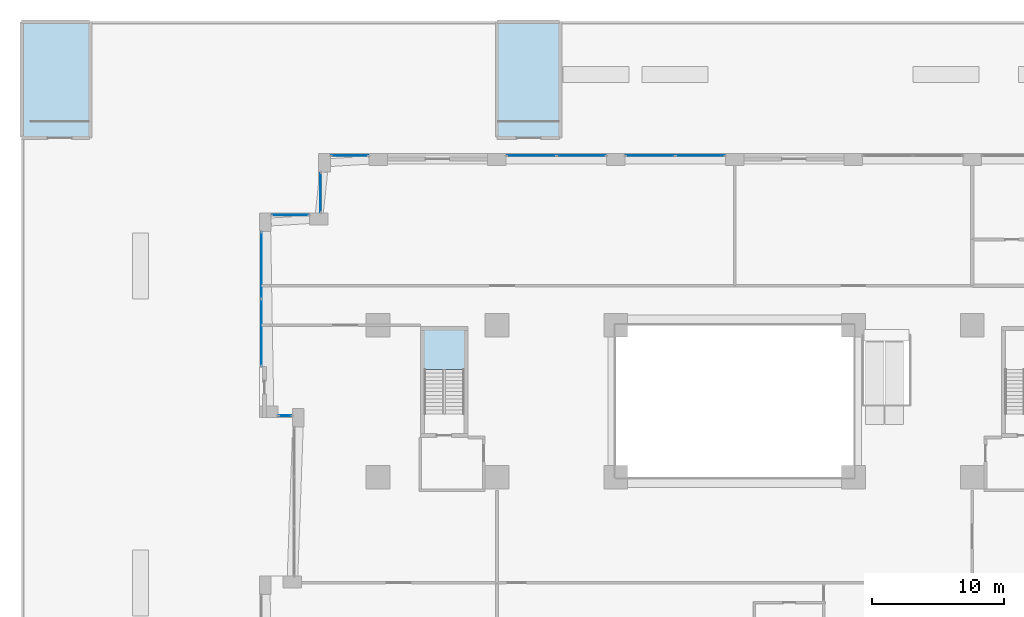
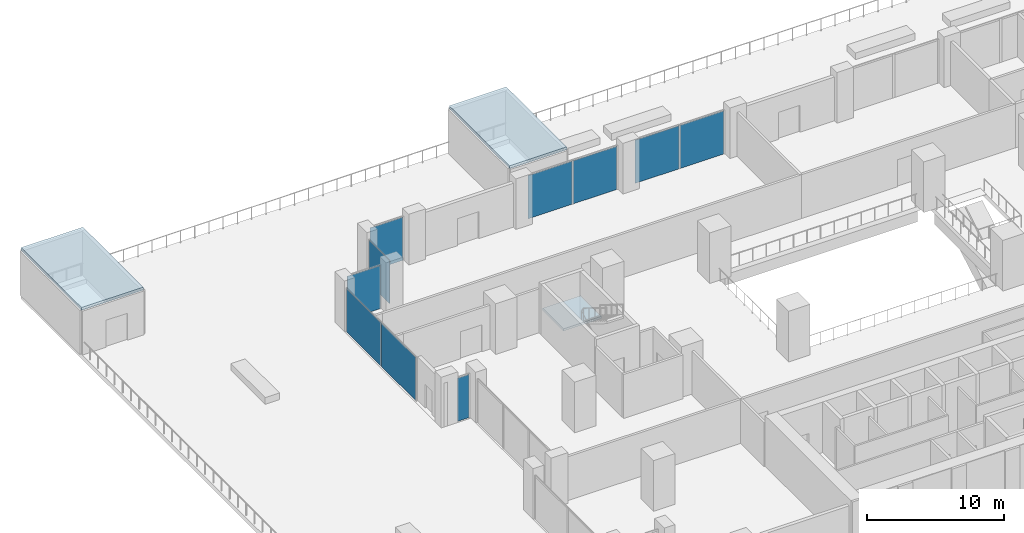
# One storey, part 10 of 19: 10 plates, 3 slabs, 8 elements without a shape of their own.
"""IFC4 building model written with IfcOpenShell, lengths in metres."""

from ifc_helpers import new_model, si_unit, direction, frame, origin, origin_2d, place, context, subcontext, project, spatial, polyline, rectangle, outline, extrude, material, layer, layer_set, type_object, element, aggregate, save


model = new_model("IFC4")

# Units and contexts
model_context = context("Model", 3, precision=1e-05, world=origin(), true_north=direction((0.0, 1.0)))
body_context = subcontext(model_context, "Body", "Model", "MODEL_VIEW")
ifc_project = project(units=[si_unit("LENGTHUNIT", "METRE"), si_unit("AREAUNIT", "SQUARE_METRE"), si_unit("VOLUMEUNIT", "CUBIC_METRE"), si_unit("PLANEANGLEUNIT", "RADIAN"), si_unit("MASSUNIT", "GRAM", prefix="KILO")], contexts=[model_context])

# Site, building, storey
site_placement = place(None, origin())
site = spatial("IfcSite", under=ifc_project, at=site_placement, CompositionType="ELEMENT")
building_placement = place(site_placement, origin())
building = spatial("IfcBuilding", under=site, at=building_placement, Name="Brigalow Station Residences", CompositionType="ELEMENT")
storey_placement = place(building_placement, frame((0.0, 0.0, 11.0)))
storey = spatial("IfcBuildingStorey", under=building, at=storey_placement, Name="L02", CompositionType="ELEMENT", Elevation=11.0)

# Curtain wall, plates
ifc_material_1 = material(Name="Aluminium", Category="aluminium")
ifc_layer_1 = layer(ifc_material_1, 0.199951171875)
ifc_layer_set_1 = layer_set([ifc_layer_1], Name="PODIUM UNITISED GLAZING CURTAIN WALL")
curtain_wall_type = type_object("IfcCurtainWallType", Name="PODIUM UNITISED GLAZING CURTAIN WALL", PredefinedType="NOTDEFINED", material=ifc_layer_set_1)
curtain_wall_1_placement = place(storey_placement, origin())
curtain_wall_1 = element("IfcCurtainWall", 1, at=curtain_wall_1_placement, inside=storey, type_object=curtain_wall_type, Name="L02/cw/podium-W-L02-25-15", PredefinedType="NOTDEFINED")
ifc_material_2 = material(Name="Laminated low-emissivity double-glazed unit")
ifc_layer_2 = layer(ifc_material_2, 0.0400390625)
ifc_layer_set_2 = layer_set([ifc_layer_2], Name="PODIUM UNITISED GLAZING PANEL 40")
plate_type = type_object("IfcPlateType", Name="PODIUM UNITISED GLAZING PANEL 40", PredefinedType="CURTAIN_PANEL", material=ifc_layer_set_2)
plate_1_placement = place(storey_placement, frame((33.3837890625, 48.35009765625, 0.0), z_axis=(0.0, 0.0, 1.0), x_axis=(-1.0, 0.0, 0.0)))
plate_1 = element("IfcPlate", 2, at=plate_1_placement, type_object=plate_type, Name="L02/cw/podium-W-L02-25-15/P00-00", PredefinedType="CURTAIN_PANEL", context=body_context, shape_type="SweptSolid", body=[
    extrude(rectangle(XDim=3.702392578125, YDim=0.0400390625, at=origin_2d()), origin(), (0.0, 0.0, 1.0), 3.8349609375),
])
plate_2_placement = place(storey_placement, frame((29.6162109375, 48.35009765625, 0.0), z_axis=(0.0, 0.0, 1.0), x_axis=(-1.0, 0.0, 0.0)))
plate_2 = element("IfcPlate", 3, at=plate_2_placement, type_object=plate_type, Name="L02/cw/podium-W-L02-25-15/P01-00", PredefinedType="CURTAIN_PANEL", context=body_context, shape_type="SweptSolid", body=[
    extrude(rectangle(XDim=3.702392578125, YDim=0.0400390625, at=origin_2d()), origin(), (0.0, 0.0, 1.0), 3.8349609375),
])
aggregate(curtain_wall_1, [plate_1, plate_2])

curtain_wall_2_placement = place(storey_placement, origin())
curtain_wall_2 = element("IfcCurtainWall", 4, at=curtain_wall_2_placement, inside=storey, type_object=curtain_wall_type, Name="L02/cw/podium-W-L02-25-16", PredefinedType="NOTDEFINED")
plate_3_placement = place(storey_placement, frame((24.3837890625, 48.35009765625, 0.0), z_axis=(0.0, 0.0, 1.0), x_axis=(-1.0, 0.0, 0.0)))
plate_3 = element("IfcPlate", 5, at=plate_3_placement, type_object=plate_type, Name="L02/cw/podium-W-L02-25-16/P00-00", PredefinedType="CURTAIN_PANEL", context=body_context, shape_type="SweptSolid", body=[
    extrude(rectangle(XDim=3.702392578125, YDim=0.0400390625, at=origin_2d()), origin(), (0.0, 0.0, 1.0), 3.8349609375),
])
plate_4_placement = place(storey_placement, frame((20.6162109375, 48.35009765625, 0.0), z_axis=(0.0, 0.0, 1.0), x_axis=(-1.0, 0.0, 0.0)))
plate_4 = element("IfcPlate", 6, at=plate_4_placement, type_object=plate_type, Name="L02/cw/podium-W-L02-25-16/P01-00", PredefinedType="CURTAIN_PANEL", context=body_context, shape_type="SweptSolid", body=[
    extrude(rectangle(XDim=3.702392578125, YDim=0.0400390625, at=origin_2d()), origin(), (0.0, 0.0, 1.0), 3.8349609375),
])
aggregate(curtain_wall_2, [plate_3, plate_4])

# Curtain wall, plate
curtain_wall_3_placement = place(storey_placement, origin())
curtain_wall_3 = element("IfcCurtainWall", 7, at=curtain_wall_3_placement, inside=storey, type_object=curtain_wall_type, Name="L02/cw/podium-W-L02-25-17", PredefinedType="NOTDEFINED")
plate_5_placement = place(storey_placement, frame((6.85009765625, 48.35009765625, 0.0), z_axis=(0.0, 0.0, 1.0), x_axis=(-1.0, 0.0, 0.0)))
plate_5 = element("IfcPlate", 8, at=plate_5_placement, type_object=plate_type, Name="L02/cw/podium-W-L02-25-17/P00-00", PredefinedType="CURTAIN_PANEL", context=body_context, shape_type="SweptSolid", body=[
    extrude(rectangle(XDim=2.77001953125, YDim=0.0400390625, at=origin_2d()), origin(), (0.0, 0.0, 1.0), 3.8349609375),
])
aggregate(curtain_wall_3, [plate_5])

curtain_wall_4_placement = place(storey_placement, origin())
curtain_wall_4 = element("IfcCurtainWall", 9, at=curtain_wall_4_placement, inside=storey, type_object=curtain_wall_type, Name="L02/cw/podium-W-L02-40-18", PredefinedType="NOTDEFINED")
plate_6_placement = place(storey_placement, frame((4.64990234375, 45.550048828125, 0.0), z_axis=(0.0, 0.0, 1.0), x_axis=(0.0, -1.0, 0.0)))
plate_6 = element("IfcPlate", 10, at=plate_6_placement, type_object=plate_type, Name="L02/cw/podium-W-L02-40-18/P00-00", PredefinedType="CURTAIN_PANEL", context=body_context, shape_type="SweptSolid", body=[
    extrude(rectangle(XDim=2.969970703125, YDim=0.0400390625, at=origin_2d()), origin(), (0.0, 0.0, 1.0), 3.8349609375),
])
aggregate(curtain_wall_4, [plate_6])

curtain_wall_5_placement = place(storey_placement, origin())
curtain_wall_5 = element("IfcCurtainWall", 11, at=curtain_wall_5_placement, inside=storey, type_object=curtain_wall_type, Name="L02/cw/podium-W-L02-41-19", PredefinedType="NOTDEFINED")
plate_7_placement = place(storey_placement, frame((2.35009765625, 43.85009765625, 0.0), z_axis=(0.0, 0.0, 1.0), x_axis=(-1.0, 0.0, 0.0)))
plate_7 = element("IfcPlate", 12, at=plate_7_placement, type_object=plate_type, Name="L02/cw/podium-W-L02-41-19/P00-00", PredefinedType="CURTAIN_PANEL", context=body_context, shape_type="SweptSolid", body=[
    extrude(rectangle(XDim=2.77001953125, YDim=0.0400390625, at=origin_2d()), origin(), (0.0, 0.0, 1.0), 3.8349609375),
])
aggregate(curtain_wall_5, [plate_7])

# Curtain wall, plates
curtain_wall_6_placement = place(storey_placement, origin())
curtain_wall_6 = element("IfcCurtainWall", 13, at=curtain_wall_6_placement, inside=storey, type_object=curtain_wall_type, Name="L02/cw/podium-W-L02-42-20", PredefinedType="NOTDEFINED")
plate_8_placement = place(storey_placement, frame((0.14990234375, 40.027587890625, 0.0), z_axis=(0.0, 0.0, 1.0), x_axis=(0.0, -1.0, 0.0)))
plate_8 = element("IfcPlate", 14, at=plate_8_placement, type_object=plate_type, Name="L02/cw/podium-W-L02-42-20/P00-00", PredefinedType="CURTAIN_PANEL", context=body_context, shape_type="SweptSolid", body=[
    extrude(rectangle(XDim=5.014892578125, YDim=0.0400390625, at=origin_2d()), origin(), (0.0, 0.0, 1.0), 3.8349609375),
])
plate_9_placement = place(storey_placement, frame((0.14990234375, 34.947509765625, 0.0), z_axis=(0.0, 0.0, 1.0), x_axis=(0.0, -1.0, 0.0)))
plate_9 = element("IfcPlate", 15, at=plate_9_placement, type_object=plate_type, Name="L02/cw/podium-W-L02-42-20/P01-00", PredefinedType="CURTAIN_PANEL", context=body_context, shape_type="SweptSolid", body=[
    extrude(rectangle(XDim=5.014892578125, YDim=0.0400390625, at=origin_2d()), origin(), (0.0, 0.0, 1.0), 3.8349609375),
])
aggregate(curtain_wall_6, [plate_8, plate_9])

# Curtain wall, plate
curtain_wall_7_placement = place(storey_placement, origin())
curtain_wall_7 = element("IfcCurtainWall", 16, at=curtain_wall_7_placement, inside=storey, type_object=curtain_wall_type, Name="L02/cw/podium-W-L02-46-21", PredefinedType="NOTDEFINED")
plate_10_placement = place(storey_placement, frame((1.949951171875, 28.64990234375, 0.0), z_axis=(0.0, 0.0, 1.0), x_axis=(1.0, 0.0, 0.0)))
plate_10 = element("IfcPlate", 17, at=plate_10_placement, type_object=plate_type, Name="L02/cw/podium-W-L02-46-21/P00-00", PredefinedType="CURTAIN_PANEL", context=body_context, shape_type="SweptSolid", body=[
    extrude(rectangle(XDim=0.969970703125, YDim=0.0400390625, at=origin_2d()), origin(), (0.0, 0.0, 1.0), 3.8349609375),
])
aggregate(curtain_wall_7, [plate_10])

# Slabs
ifc_material_3 = material(Name="Concrete C50", Category="concrete")
ifc_layer_3 = layer(ifc_material_3, 0.25)
ifc_layer_set_3 = layer_set([ifc_layer_3], Name="STAIR HEAD ROOF 250")
slab_type_1 = type_object("IfcSlabType", Name="STAIR HEAD ROOF 250", PredefinedType="ROOF", material=ifc_layer_set_3)
slab_1_placement = place(storey_placement, frame((0.0, 0.0, 3.89990234375)))
element("IfcSlab", 18, at=slab_1_placement, inside=storey, type_object=slab_type_1, Name="Exit stair S4 roof", PredefinedType="ROOF", context=body_context, shape_type="SweptSolid", body=[
    extrude(outline(polyline([(-12.800048828125, 49.699951171875), (-12.800048828125, 58.5), (-18.0, 58.5), (-18.0, 49.699951171875), (-12.800048828125, 49.699951171875)])), origin(), (0.0, 0.0, 1.0), 0.25),
])
slab_2_placement = place(storey_placement, frame((0.0, 0.0, 3.89990234375)))
element("IfcSlab", 19, at=slab_2_placement, inside=storey, type_object=slab_type_1, Name="Exit stair S6 roof", PredefinedType="ROOF", context=body_context, shape_type="SweptSolid", body=[
    extrude(outline(polyline([(22.800048828125, 49.699951171875), (22.800048828125, 58.5), (18.0, 58.5), (18.0, 49.699951171875), (22.800048828125, 49.699951171875)])), origin(), (0.0, 0.0, 1.0), 0.25),
])

# Stair, slab
ifc_material_4 = material(Name="Concrete C50", Category="concrete")
stair_type = type_object("IfcStairType", Name="EXIT STAIR 1400 2 FLIGHT", PredefinedType="HALF_TURN_STAIR", material=ifc_material_4)
stair_placement = place(storey_placement, origin())
stair = element("IfcStair", 20, at=stair_placement, inside=storey, type_object=stair_type, Name="EXIT STAIR S1 L02", PredefinedType="HALF_TURN_STAIR")
ifc_material_5 = material(Name="Concrete C50", Category="concrete")
ifc_layer_4 = layer(ifc_material_5, 0.199951171875)
ifc_layer_set_4 = layer_set([ifc_layer_4], Name="STAIR LANDING 200")
slab_type_2 = type_object("IfcSlabType", Name="STAIR LANDING 200", PredefinedType="LANDING", material=ifc_layer_set_4)
slab_3_placement = place(storey_placement, frame((0.0, 0.0, 2.050048828125)))
slab_3 = element("IfcSlab", 21, at=slab_3_placement, type_object=slab_type_2, Name="ST-1 landing 1", PredefinedType="LANDING", context=body_context, shape_type="SweptSolid", body=[
    extrude(outline(polyline([(12.39990234375, 32.159912109375), (15.60009765625, 32.159912109375), (15.60009765625, 35.199951171875), (12.39990234375, 35.199951171875), (12.39990234375, 32.159912109375)])), origin(), (0.0, 0.0, 1.0), 0.199951171875),
])
aggregate(stair, [slab_3])

save(model, "model.ifc")
